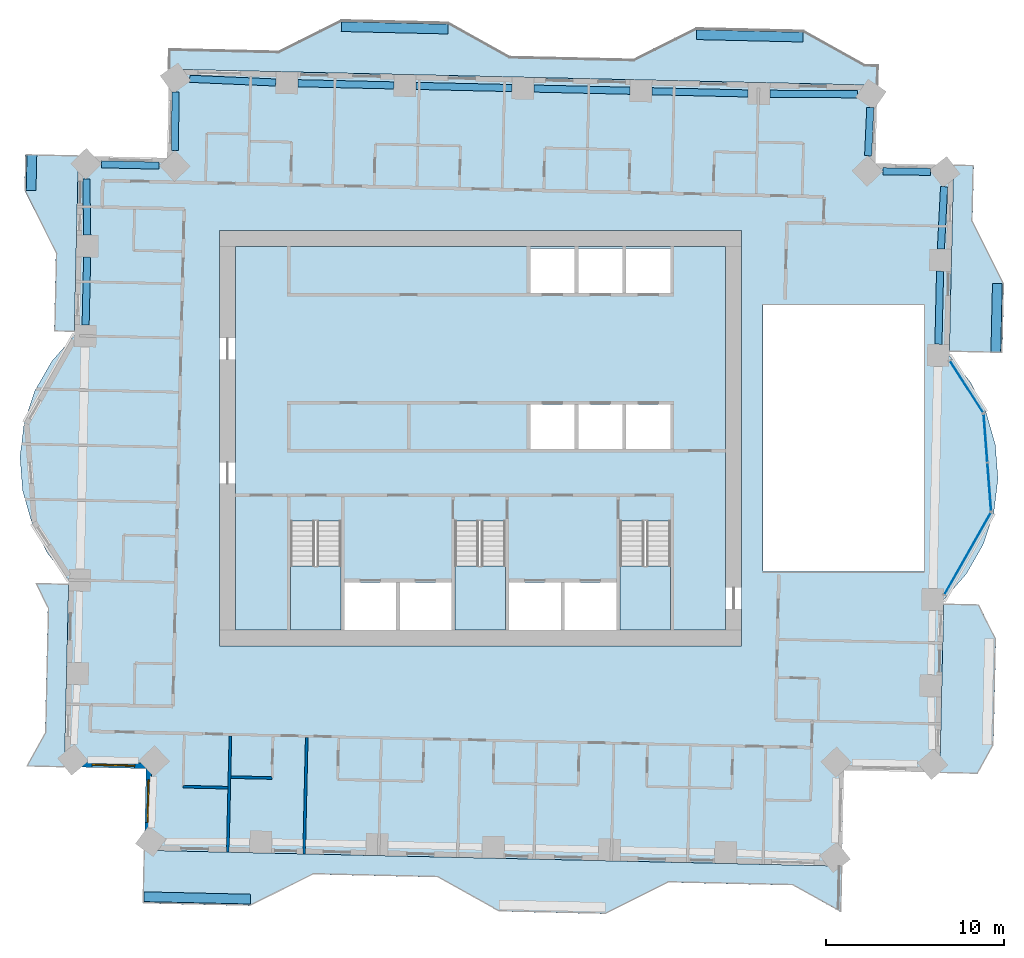
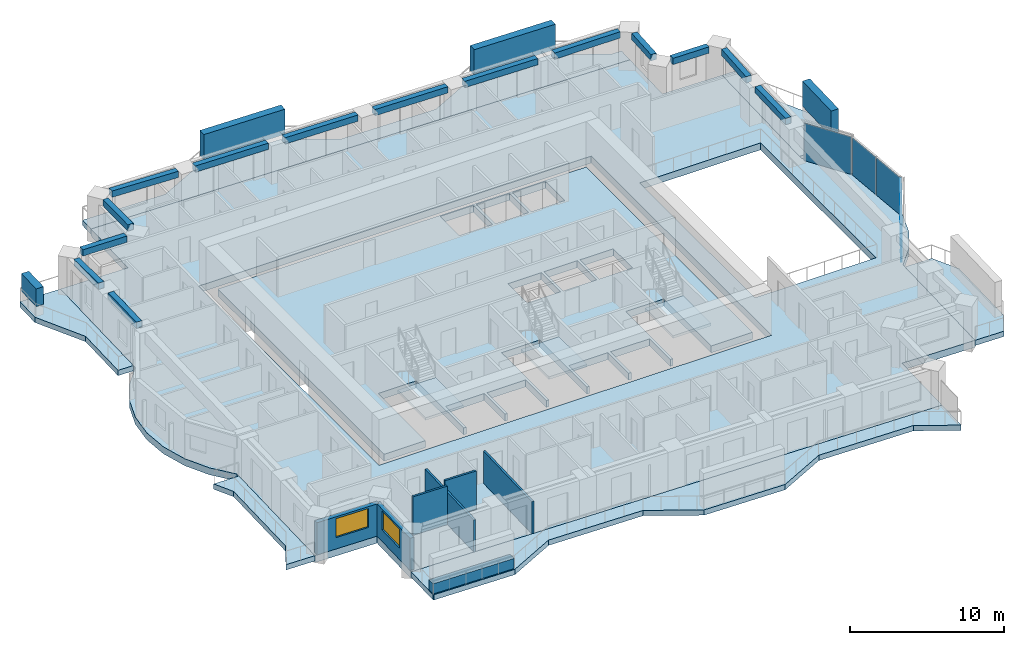
# One storey, part 3 of 14: 14 beams, 11 slabs, 7 walls, 4 members, 4 plates, 2 windows, 2 openings, 6 elements without a shape of their own.
"""IFC4 building model written with IfcOpenShell, lengths in metres."""

import ifcopenshell
import ifcopenshell.guid

model = None  # the IFC model being written
_history = None  # IfcOwnerHistory: only IFC2X3 demands one
_inside = {}  # id of a spatial element -> (the spatial element, [elements in it])
_under = {}  # id of a project, library or spatial element -> (it, [spatial elements below it])
_declared = {}  # id of a project -> (the project, [libraries it declares])
_typed = {}  # id of a type object -> (the type object, [elements of that type])
_made_of = {}  # id of a material, layer set ... -> (it, [elements and type objects made of it])


def new_model(schema):
    """Start an empty IFC model of exactly this schema.

    Asked for "IFC4X3", IfcOpenShell would pick the latest addendum, in which some entities
    have other attributes; the version numbers below select the first issue.
    IFC2X3 requires an IfcOwnerHistory on every rooted entity: one is made here for all.
    """
    global model, _history
    if schema == "IFC4X3":
        model = ifcopenshell.file(schema_version=(4, 3, 0, 0))
    else:
        model = ifcopenshell.file(schema=schema)
    _inside.clear()
    _under.clear()
    _declared.clear()
    _typed.clear()
    _made_of.clear()
    _history = None
    if model.schema == "IFC2X3":
        org = make("IfcOrganization", Name="unknown")
        user = make(
            "IfcPersonAndOrganization",
            ThePerson=make("IfcPerson", FamilyName="unknown"),
            TheOrganization=org,
        )
        app = make(
            "IfcApplication",
            ApplicationDeveloper=org,
            Version="unknown",
            ApplicationFullName="unknown",
            ApplicationIdentifier="unknown",
        )
        _history = make(
            "IfcOwnerHistory",
            OwningUser=user,
            OwningApplication=app,
            ChangeAction="ADDED",
            CreationDate=0,
        )
    return model


def make(cls, **values):
    """One entity of the class cls with the attributes given. An attribute that is None is left unset."""
    return model.create_entity(
        cls, **{name: value for name, value in values.items() if value is not None}
    )


def rooted(cls, **values):
    """An entity with a GlobalId (a new one), such as an element, a storey or a relation."""
    return make(cls, GlobalId=ifcopenshell.guid.new(), OwnerHistory=_history, **values)


def si_unit(unit_type, name, prefix=None):
    """IfcSIUnit, for example si_unit("LENGTHUNIT", "METRE", prefix="MILLI")."""
    return make("IfcSIUnit", UnitType=unit_type, Prefix=prefix, Name=name)


def assignment(units):
    """IfcUnitAssignment: the units of a project."""
    return None if units is None else make("IfcUnitAssignment", Units=units)


def point(xyz):
    """IfcCartesianPoint."""
    return None if xyz is None else make("IfcCartesianPoint", Coordinates=xyz)


def direction(xyz):
    """IfcDirection."""
    return None if xyz is None else make("IfcDirection", DirectionRatios=xyz)


def frame(location, z_axis=None, x_axis=None):
    """IfcAxis2Placement3D, a coordinate frame: its origin and axes. An axis left out is left unset."""
    return make(
        "IfcAxis2Placement3D",
        Location=point(location),
        Axis=direction(z_axis),
        RefDirection=direction(x_axis),
    )


def frame_2d(location, x_axis=None):
    """IfcAxis2Placement2D, a coordinate frame in the plane: its origin and x axis."""
    return make(
        "IfcAxis2Placement2D", Location=point(location), RefDirection=direction(x_axis)
    )


def origin():
    """The frame at (0, 0, 0) with its axes left unset."""
    return frame((0.0, 0.0, 0.0))


def origin_2d():
    """The frame at (0, 0) in the plane with its x axis left unset."""
    return frame_2d((0.0, 0.0))


def place(relative_to, where):
    """IfcLocalPlacement: puts the frame where relative to a parent placement (None: the world)."""
    return make(
        "IfcLocalPlacement", PlacementRelTo=relative_to, RelativePlacement=where
    )


def context(
    kind, dimensions, precision=None, world=None, true_north=None, identifier=None
):
    """IfcGeometricRepresentationContext, for example the 3D "Model" context."""
    return make(
        "IfcGeometricRepresentationContext",
        ContextIdentifier=identifier,
        ContextType=kind,
        CoordinateSpaceDimension=dimensions,
        Precision=precision,
        WorldCoordinateSystem=world,
        TrueNorth=true_north,
    )


def subcontext(parent, identifier, kind, view, scale=None):
    """IfcGeometricRepresentationSubContext, for example "Body" below "Model"."""
    return make(
        "IfcGeometricRepresentationSubContext",
        ContextIdentifier=identifier,
        ContextType=kind,
        ParentContext=parent,
        TargetScale=scale,
        TargetView=view,
    )


def project(units=None, contexts=None):
    """IfcProject with its units and contexts."""
    return rooted(
        "IfcProject",
        Name="project",
        RepresentationContexts=contexts,
        UnitsInContext=assignment(units),
    )


def spatial(cls, under=None, at=None, **own):
    """A site, building, storey or space (cls), placed at a placement, below another one or the project."""
    s = rooted(cls, ObjectPlacement=at, **own)
    if under is not None:
        _under.setdefault(under.id(), (under, []))[1].append(s)
    return s


def polyline(points):
    """IfcPolyline through the points."""
    return make("IfcPolyline", Points=[point(p) for p in points])


def profile(cls, at=None, kind="AREA", **sizes):
    """A parametric profile (cls). Its sizes go by their IFC names, for example OverallWidth=200.0."""
    return make(cls, ProfileType=kind, Position=at, **sizes)


def rectangle(**sizes):
    """IfcRectangleProfileDef."""
    return profile("IfcRectangleProfileDef", **sizes)


def outline(outer, holes=None, kind="AREA"):
    """IfcArbitraryClosedProfileDef: a profile drawn as a closed curve; with holes, ...WithVoids."""
    if holes is None:
        return make("IfcArbitraryClosedProfileDef", ProfileType=kind, OuterCurve=outer)
    return make(
        "IfcArbitraryProfileDefWithVoids",
        ProfileType=kind,
        OuterCurve=outer,
        InnerCurves=holes,
    )


def extrude(swept, where, along, depth):
    """IfcExtrudedAreaSolid: the profile swept, set in the frame where, extruded along a direction by depth."""
    return make(
        "IfcExtrudedAreaSolid",
        SweptArea=swept,
        Position=where,
        ExtrudedDirection=direction(along),
        Depth=depth,
    )


def shape(context_of_items, identifier, shape_type, items):
    """IfcShapeRepresentation: the items that make up one representation, for example the "Body"."""
    return make(
        "IfcShapeRepresentation",
        ContextOfItems=context_of_items,
        RepresentationIdentifier=identifier,
        RepresentationType=shape_type,
        Items=items,
    )


def material(Name=None, Category=None):
    """IfcMaterial."""
    return make("IfcMaterial", Name=Name, Category=Category)


def layer(
    of_material, thickness, ventilated=None, Name=None, Category=None, Priority=None
):
    """IfcMaterialLayer: one layer of a wall or slab, of a material (None: an air gap)."""
    return make(
        "IfcMaterialLayer",
        Material=of_material,
        LayerThickness=thickness,
        IsVentilated=ventilated,
        Name=Name,
        Category=Category,
        Priority=Priority,
    )


def layer_set(layers, Name=None):
    """IfcMaterialLayerSet."""
    return make("IfcMaterialLayerSet", MaterialLayers=layers, LayerSetName=Name)


def material_profile(
    of_material, cross_section, Name=None, Category=None, Priority=None
):
    """IfcMaterialProfile: a cross section and its material."""
    return make(
        "IfcMaterialProfile",
        Name=Name,
        Material=of_material,
        Profile=cross_section,
        Priority=Priority,
        Category=Category,
    )


def profile_set(profiles, Name=None, composite=None):
    """IfcMaterialProfileSet."""
    return make(
        "IfcMaterialProfileSet",
        Name=Name,
        MaterialProfiles=profiles,
        CompositeProfile=composite,
    )


def made_of(thing, what):
    """Note that an element or type object is made of a material, layer set ...; save() writes the relation."""
    if what is not None:
        _made_of.setdefault(what.id(), (what, []))[1].append(thing)
    return thing


def type_object(cls, material=None, **own):
    """A type object (cls), such as IfcWallType, which elements share."""
    return made_of(rooted(cls, **own), material)


def element(
    cls,
    number,
    at=None,
    inside=None,
    cuts=None,
    type_object=None,
    material=None,
    context=None,
    identifier="Body",
    shape_type=None,
    held_by="IfcProductDefinitionShape",
    body=None,
    shapes=None,
    **own,
):
    """One element of the class cls, such as IfcWall. Its Tag is "e" and its number.

    at: its placement. inside: the storey or other place that contains it. cuts: it is an
    opening in that element (IfcRelVoidsElement). A single representation is given by context,
    identifier, shape_type and body (its items); several are given by shapes. held_by: the class
    of the entity that holds the representations. save() writes the other relations.
    """
    e = rooted(cls, Tag="e%d" % number, ObjectPlacement=at, **own)
    if body is not None:
        shapes = [shape(context, identifier, shape_type, body)]
    if shapes is not None:
        e.Representation = make(held_by, Representations=shapes)
    if inside is not None:
        _inside.setdefault(inside.id(), (inside, []))[1].append(e)
    if cuts is not None:
        rooted(
            "IfcRelVoidsElement", RelatingBuildingElement=cuts, RelatedOpeningElement=e
        )
    if type_object is not None:
        _typed.setdefault(type_object.id(), (type_object, []))[1].append(e)
    return made_of(e, material)


def fill(opening, filler):
    """IfcRelFillsElement: the door or window that sits in an opening."""
    return rooted(
        "IfcRelFillsElement",
        RelatingOpeningElement=opening,
        RelatedBuildingElement=filler,
    )


def aggregate(whole, parts):
    """IfcRelAggregates: a whole, such as a stair, and the parts it consists of."""
    return rooted("IfcRelAggregates", RelatingObject=whole, RelatedObjects=parts)


def save(model, path):
    """Write the relations noted so far, then the file.

    IfcRelAggregates (storeys below a building ...), IfcRelContainedInSpatialStructure (elements
    in a storey), IfcRelDefinesByType, IfcRelAssociatesMaterial and IfcRelDeclares: one each for
    every whole, place, type object, material and project.
    """
    for whole, parts in _under.values():
        aggregate(whole, parts)
    for where, things in _inside.values():
        rooted(
            "IfcRelContainedInSpatialStructure",
            RelatedElements=things,
            RelatingStructure=where,
        )
    for kind, things in _typed.values():
        rooted("IfcRelDefinesByType", RelatedObjects=things, RelatingType=kind)
    for what, things in _made_of.values():
        rooted("IfcRelAssociatesMaterial", RelatedObjects=things, RelatingMaterial=what)
    for by, libraries in _declared.values():
        rooted("IfcRelDeclares", RelatingContext=by, RelatedDefinitions=libraries)
    model.write(path)


model = new_model("IFC4")

# Units and contexts
model_context = context("Model", 3, precision=1e-05, world=origin(), true_north=direction((0.0, 1.0)))
body_context = subcontext(model_context, "Body", "Model", "MODEL_VIEW")
ifc_project = project(units=[si_unit("LENGTHUNIT", "METRE"), si_unit("AREAUNIT", "SQUARE_METRE"), si_unit("VOLUMEUNIT", "CUBIC_METRE"), si_unit("PLANEANGLEUNIT", "RADIAN"), si_unit("MASSUNIT", "GRAM", prefix="KILO")], contexts=[model_context])

# Site, building, storey
site_placement = place(None, origin())
site = spatial("IfcSite", under=ifc_project, at=site_placement, CompositionType="ELEMENT")
building_placement = place(site_placement, origin())
building = spatial("IfcBuilding", under=site, at=building_placement, Name="Mangrove Gate Tower", CompositionType="ELEMENT")
storey_placement = place(building_placement, frame((0.0, 0.0, 159.89990234375)))
storey = spatial("IfcBuildingStorey", under=building, at=storey_placement, Name="L40", CompositionType="ELEMENT", Elevation=159.89990234375)

# Members
ifc_material_1 = material(Name="Planting on aluminium trellis", Category="aluminium")
ifc_material_profile_1 = material_profile(ifc_material_1, rectangle(XDim=0.550048828125, YDim=1.39990234375, at=origin_2d()))
ifc_profile_set_1 = profile_set([ifc_material_profile_1], Name="Planting on aluminium trellis")
member_type_1 = type_object("IfcMemberType", Name="Balcony greenery screen 550x1400", PredefinedType="USERDEFINED", material=ifc_profile_set_1)
member_1_placement = place(storey_placement, frame((-25.30810546875, 13.965087890625, 1.5), z_axis=(0.023076413053, 0.999733704124, 0.0), x_axis=(-0.999733704124, 0.023076413053, 0.0)))
element("IfcMember", 1, at=member_1_placement, inside=storey, type_object=member_type_1, Name="GREEN SCREEN L40 W0.1", ObjectType="PLANTING", PredefinedType="USERDEFINED", context=body_context, shape_type="SweptSolid", body=[
    extrude(rectangle(XDim=0.550048828125, YDim=1.39990234375, at=origin_2d()), origin(), (0.0, 0.0, 1.0), 1.99951171875),
])
ifc_material_2 = material(Name="Planting on aluminium trellis", Category="aluminium")
ifc_material_profile_2 = material_profile(ifc_material_2, rectangle(XDim=0.550048828125, YDim=2.0, at=origin_2d()))
ifc_profile_set_2 = profile_set([ifc_material_profile_2], Name="Planting on aluminium trellis")
member_type_2 = type_object("IfcMemberType", Name="Balcony greenery screen 550x2000", PredefinedType="USERDEFINED", material=ifc_profile_set_2)
member_2_placement = place(storey_placement, frame((29.010009765625, 4.85498046875, 1.800048828125), z_axis=(0.022681332769, 0.999742745482, 0.0), x_axis=(-0.999742745482, 0.022681332769, 0.0)))
element("IfcMember", 2, at=member_2_placement, inside=storey, type_object=member_type_2, Name="GREEN SCREEN L40 E1.1", ObjectType="PLANTING", PredefinedType="USERDEFINED", context=body_context, shape_type="SweptSolid", body=[
    extrude(rectangle(XDim=0.550048828125, YDim=2.0, at=origin_2d()), origin(), (0.0, 0.0, 1.0), 3.875),
])
for number, where, z_axis, x_axis, name in (
    (3, (12.156005859375, 22.73193359375, 1.800048828125), (0.999743178102, -0.022662255828, 0.0), (0.022662255828, 0.999743178102, 0.0), "GREEN SCREEN L40 N0.1"),
    (4, (-7.839111328125, 23.18603515625, 1.800048828125), (0.999739477659, -0.022824916448, 0.0), (0.022824916448, 0.999739477659, 0.0), "GREEN SCREEN L40 N1.1"),
):
    element("IfcMember", number, at=place(storey_placement, frame(where, z_axis=z_axis, x_axis=x_axis)), inside=storey, type_object=member_type_2, Name=name, ObjectType="PLANTING", PredefinedType="USERDEFINED", context=body_context, shape_type="SweptSolid", body=[
        extrude(rectangle(XDim=0.550048828125, YDim=2.0, at=origin_2d()), origin(), (0.0, 0.0, 1.0), 6.00048828125),
    ])

# Beams
ifc_material_3 = material(Name="Concrete C50/60", Category="concrete")
ifc_material_profile_3 = material_profile(ifc_material_3, rectangle(XDim=0.39990234375, YDim=0.5, at=origin_2d()))
ifc_profile_set_3 = profile_set([ifc_material_profile_3], Name="Concrete C50/60")
beam_type = type_object("IfcBeamType", Name="Edge beam RC 400x500 C50/60", PredefinedType="BEAM", material=ifc_profile_set_3)
beam_1_placement = place(storey_placement, frame((25.779296875, 5.303955078125, 2.800048828125), z_axis=(0.022564934913, 0.99974537944, 0.0), x_axis=(-0.99974537944, 0.022564934913, 0.0)))
element("IfcBeam", 5, at=beam_1_placement, inside=storey, type_object=beam_type, Name="Edge beam L40 15", PredefinedType="BEAM", context=body_context, shape_type="SweptSolid", body=[
    extrude(rectangle(XDim=0.39990234375, YDim=0.5, at=origin_2d()), origin(), (0.0, 0.0, 1.0), 4.111328125),
])
beam_2_placement = place(storey_placement, frame((25.918212890625, 10.66357421875, 2.800048828125), z_axis=(0.051264492748, 0.998685111426, 0.0), x_axis=(-0.998685111426, 0.051264492748, 0.0)))
element("IfcBeam", 6, at=beam_2_placement, inside=storey, type_object=beam_type, Name="Edge beam L40 16", PredefinedType="BEAM", context=body_context, shape_type="SweptSolid", body=[
    extrude(rectangle(XDim=0.39990234375, YDim=0.5, at=origin_2d()), origin(), (0.0, 0.0, 1.0), 3.5146484375),
])
beam_3_placement = place(storey_placement, frame((25.33935546875, 15.010498046875, 2.800048828125), z_axis=(-0.999924520308, 0.012286321129, 0.0), x_axis=(-0.012286321129, -0.999924520308, 0.0)))
element("IfcBeam", 7, at=beam_3_placement, inside=storey, type_object=beam_type, Name="Edge beam L40 17", PredefinedType="BEAM", context=body_context, shape_type="SweptSolid", body=[
    extrude(rectangle(XDim=0.39990234375, YDim=0.5, at=origin_2d()), origin(), (0.0, 0.0, 1.0), 2.6826171875),
])
beam_4_placement = place(storey_placement, frame((21.821044921875, 15.91796875, 2.800048828125), z_axis=(0.04517139191, 0.998979251713, 0.0), x_axis=(-0.998979251713, 0.04517139191, 0.0)))
element("IfcBeam", 8, at=beam_4_placement, inside=storey, type_object=beam_type, Name="Edge beam L40 18", PredefinedType="BEAM", context=body_context, shape_type="SweptSolid", body=[
    extrude(rectangle(XDim=0.39990234375, YDim=0.5, at=origin_2d()), origin(), (0.0, 0.0, 1.0), 2.718505859375),
])
beam_5_placement = place(storey_placement, frame((21.21923828125, 19.37646484375, 2.800048828125), z_axis=(-0.999980449933, 0.006252979488, 0.0), x_axis=(-0.006252979488, -0.999980449933, 0.0)))
element("IfcBeam", 9, at=beam_5_placement, inside=storey, type_object=beam_type, Name="Edge beam L40 19", PredefinedType="BEAM", context=body_context, shape_type="SweptSolid", body=[
    extrude(rectangle(XDim=0.39990234375, YDim=0.5, at=origin_2d()), origin(), (0.0, 0.0, 1.0), 4.91943359375),
])
beam_6_placement = place(storey_placement, frame((15.050048828125, 19.42529296875, 2.800048828125), z_axis=(-0.99974211572, 0.022709074303, 0.0), x_axis=(-0.022709074303, -0.99974211572, 0.0)))
element("IfcBeam", 10, at=beam_6_placement, inside=storey, type_object=beam_type, Name="Edge beam L40 20", PredefinedType="BEAM", context=body_context, shape_type="SweptSolid", body=[
    extrude(rectangle(XDim=0.39990234375, YDim=0.5, at=origin_2d()), origin(), (0.0, 0.0, 1.0), 5.39697265625),
])
for number, where, z_axis, x_axis, name in (
    (11, (8.405029296875, 19.576416015625, 2.800048828125), (-0.99974209239, 0.022710101379, 0.0), (-0.022710101379, -0.99974209239, 0.0), "Edge beam L40 21"),
    (12, (1.760009765625, 19.727294921875, 2.800048828125), (-0.999745164565, 0.022574453012, 0.0), (-0.022574453012, -0.999745164565, 0.0), "Edge beam L40 22"),
    (13, (-4.885009765625, 19.87744140625, 2.800048828125), (-0.99974209239, 0.022710101379, 0.0), (-0.022710101379, -0.99974209239, 0.0), "Edge beam L40 23"),
):
    element("IfcBeam", number, at=place(storey_placement, frame(where, z_axis=z_axis, x_axis=x_axis)), inside=storey, type_object=beam_type, Name=name, PredefinedType="BEAM", context=body_context, shape_type="SweptSolid", body=[
        extrude(rectangle(XDim=0.39990234375, YDim=0.5, at=origin_2d()), origin(), (0.0, 0.0, 1.0), 5.396728515625),
    ])
beam_7_placement = place(storey_placement, frame((-11.52978515625, 20.040771484375, 2.800048828125), z_axis=(-0.99908526165, 0.04276259995, 0.0), x_axis=(-0.04276259995, -0.99908526165, 0.0)))
element("IfcBeam", 14, at=beam_7_placement, inside=storey, type_object=beam_type, Name="Edge beam L40 24", PredefinedType="BEAM", context=body_context, shape_type="SweptSolid", body=[
    extrude(rectangle(XDim=0.39990234375, YDim=0.5, at=origin_2d()), origin(), (0.0, 0.0, 1.0), 4.852783203125),
])
beam_8_placement = place(storey_placement, frame((-17.1787109375, 19.5078125, 2.800048828125), z_axis=(-0.009256805477, -0.999957154858, 0.0), x_axis=(0.999957154858, -0.009256805477, 0.0)))
element("IfcBeam", 15, at=beam_8_placement, inside=storey, type_object=beam_type, Name="Edge beam L40 25", PredefinedType="BEAM", context=body_context, shape_type="SweptSolid", body=[
    extrude(rectangle(XDim=0.39990234375, YDim=0.5, at=origin_2d()), origin(), (0.0, 0.0, 1.0), 3.296875),
])
beam_9_placement = place(storey_placement, frame((-18.100341796875, 15.35986328125, 2.800048828125), z_axis=(-0.999728264074, 0.023310899004, 0.0), x_axis=(-0.023310899004, -0.999728264074, 0.0)))
element("IfcBeam", 16, at=beam_9_placement, inside=storey, type_object=beam_type, Name="Edge beam L40 26", PredefinedType="BEAM", context=body_context, shape_type="SweptSolid", body=[
    extrude(rectangle(XDim=0.39990234375, YDim=0.5, at=origin_2d()), origin(), (0.0, 0.0, 1.0), 3.236328125),
])
beam_10_placement = place(storey_placement, frame((-22.199462890625, 14.599609375, 2.800048828125), z_axis=(0.016224572201, -0.999868372966, 0.0), x_axis=(0.999868372966, 0.016224572201, 0.0)))
element("IfcBeam", 17, at=beam_10_placement, inside=storey, type_object=beam_type, Name="Edge beam L40 27", PredefinedType="BEAM", context=body_context, shape_type="SweptSolid", body=[
    extrude(rectangle(XDim=0.39990234375, YDim=0.5, at=origin_2d()), origin(), (0.0, 0.0, 1.0), 3.14501953125),
])
beam_11_placement = place(storey_placement, frame((-22.15234375, 10.205078125, 2.800048828125), z_axis=(-0.022733042384, -0.999741570999, 0.0), x_axis=(0.999741570999, -0.022733042384, 0.0)))
element("IfcBeam", 18, at=beam_11_placement, inside=storey, type_object=beam_type, Name="Edge beam L40 28", PredefinedType="BEAM", context=body_context, shape_type="SweptSolid", body=[
    extrude(rectangle(XDim=0.39990234375, YDim=0.5, at=origin_2d()), origin(), (0.0, 0.0, 1.0), 3.8125),
])

# Curtain wall, plate
ifc_material_4 = material(Name="Aluminium and glass curtain wall", Category="aluminium")
curtain_wall_type = type_object("IfcCurtainWallType", Name="Atrium garden-court glazing wall", PredefinedType="NOTDEFINED", material=ifc_material_4)
curtain_wall_1_placement = place(storey_placement, origin())
curtain_wall_1 = element("IfcCurtainWall", 19, at=curtain_wall_1_placement, inside=storey, type_object=curtain_wall_type, Name="Atrium garden-court glazing E1f1", PredefinedType="NOTDEFINED")
ifc_material_5 = material(Name="Laminated low-e glass", Category="glass")
ifc_layer_1 = layer(ifc_material_5, 0.031982421875)
ifc_layer_set_1 = layer_set([ifc_layer_1], Name="Atrium garden-court glazing panel 32")
plate_type = type_object("IfcPlateType", Name="Atrium garden-court glazing panel 32", PredefinedType="CURTAIN_PANEL", material=ifc_layer_set_1)
plate_1_placement = place(storey_placement, frame((27.4228515625, -6.48876953125, 0.0), z_axis=(0.0, 0.0, 1.0), x_axis=(0.492564461279, 0.870275962833, 0.0)))
plate_1 = element("IfcPlate", 20, at=plate_1_placement, type_object=plate_type, Name="CWA panel 1.1", PredefinedType="CURTAIN_PANEL", context=body_context, shape_type="SweptSolid", body=[
    extrude(rectangle(XDim=5.257568359375, YDim=0.031982421875, at=origin_2d()), origin(), (0.0, 0.0, 1.0), 2.97998046875),
])
aggregate(curtain_wall_1, [plate_1])

# Curtain wall, plates
curtain_wall_2_placement = place(storey_placement, origin())
curtain_wall_2 = element("IfcCurtainWall", 21, at=curtain_wall_2_placement, inside=storey, type_object=curtain_wall_type, Name="Atrium garden-court glazing E1f2", PredefinedType="NOTDEFINED")
plate_2_placement = place(storey_placement, frame((28.6435546875, -2.7333984375, 0.0), z_axis=(0.0, 0.0, 1.0), x_axis=(-0.077023348403, 0.997029289339, 0.0)))
plate_2 = element("IfcPlate", 22, at=plate_2_placement, type_object=plate_type, Name="CWA panel 1.1", PredefinedType="CURTAIN_PANEL", context=body_context, shape_type="SweptSolid", body=[
    extrude(rectangle(XDim=2.681640625, YDim=0.031982421875, at=origin_2d()), origin(), (0.0, 0.0, 1.0), 2.97998046875),
])
plate_3_placement = place(storey_placement, frame((28.431640625, 0.01025390625, 0.0), z_axis=(0.0, 0.0, 1.0), x_axis=(-0.077023348403, 0.997029289339, 0.0)))
plate_3 = element("IfcPlate", 23, at=plate_3_placement, type_object=plate_type, Name="CWA panel 2.1", PredefinedType="CURTAIN_PANEL", context=body_context, shape_type="SweptSolid", body=[
    extrude(rectangle(XDim=2.681640625, YDim=0.031982421875, at=origin_2d()), origin(), (0.0, 0.0, 1.0), 2.97998046875),
])
aggregate(curtain_wall_2, [plate_2, plate_3])

# Curtain wall, plate
curtain_wall_3_placement = place(storey_placement, origin())
curtain_wall_3 = element("IfcCurtainWall", 24, at=curtain_wall_3_placement, inside=storey, type_object=curtain_wall_type, Name="Atrium garden-court glazing E1f3", PredefinedType="NOTDEFINED")
plate_4_placement = place(storey_placement, frame((27.358642578125, 2.917724609375, 0.0), z_axis=(0.0, 0.0, 1.0), x_axis=(-0.540496322894, 0.841346376315, 0.0)))
plate_4 = element("IfcPlate", 25, at=plate_4_placement, type_object=plate_type, Name="CWA panel 1.1", PredefinedType="CURTAIN_PANEL", context=body_context, shape_type="SweptSolid", body=[
    extrude(rectangle(XDim=3.427978515625, YDim=0.031982421875, at=origin_2d()), origin(), (0.0, 0.0, 1.0), 2.97998046875),
])
aggregate(curtain_wall_3, [plate_4])

# Slabs
ifc_material_6 = material(Name="Porcelain tile")
ifc_layer_2 = layer(ifc_material_6, 0.02001953125, Name="Tile finish")
ifc_material_7 = material(Name="Cement sand screed")
ifc_layer_3 = layer(ifc_material_7, 0.0400390625, Name="Screed laid to falls")
ifc_material_8 = material(Name="Bituminous waterproofing membrane")
ifc_layer_4 = layer(ifc_material_8, 0.00390625, Name="Waterproofing")
ifc_material_9 = material(Name="Concrete C40/50", Category="concrete")
ifc_layer_5 = layer(ifc_material_9, 0.340087890625, Name="Balcony structural slab")
ifc_material_10 = material(Name="Limestone", Category="masonry")
ifc_layer_6 = layer(ifc_material_10, 0.01611328125, Name="Soffit lining")
ifc_layer_set_2 = layer_set([ifc_layer_2, ifc_layer_3, ifc_layer_4, ifc_layer_5, ifc_layer_6], Name="Balcony slab 420 C40/50")
slab_type_1 = type_object("IfcSlabType", Name="Balcony slab 420 C40/50", PredefinedType="FLOOR", material=ifc_layer_set_2)
slab_1_placement = place(storey_placement, frame((0.0, 0.0, -0.419921875)))
element("IfcSlab", 26, at=slab_1_placement, inside=storey, type_object=slab_type_1, Name="BALCONY L40 E0", PredefinedType="FLOOR", context=body_context, shape_type="SweptSolid", body=[
    extrude(outline(polyline([(28.0009765625, -18.85302734375), (28.883056640625, -17.27294921875), (29.01904296875, -11.27490234375), (28.071044921875, -9.3779296875), (26.072021484375, -9.3330078125), (26.029052734375, -11.20703125), (25.89306640625, -17.205078125), (25.85693359375, -18.804931640625), (28.0009765625, -18.85302734375)])), origin(), (0.0, 0.0, 1.0), 0.419921875),
])
slab_2_placement = place(storey_placement, frame((0.0, 0.0, -0.419921875)))
element("IfcSlab", 27, at=slab_2_placement, inside=storey, type_object=slab_type_1, Name="BALCONY L40 E1", PredefinedType="FLOOR", context=body_context, shape_type="SweptSolid", body=[
    extrude(outline(polyline([(29.385009765625, 4.846923828125), (29.471923828125, 8.719970703125), (27.701904296875, 12.260986328125), (27.77294921875, 15.361083984375), (26.633056640625, 15.385986328125), (26.56298828125, 12.287109375), (26.48291015625, 8.7880859375), (26.39501953125, 4.9140625), (29.385009765625, 4.846923828125)])), origin(), (0.0, 0.0, 1.0), 0.419921875),
])
slab_3_placement = place(storey_placement, frame((0.0, 0.0, -0.419921875)))
element("IfcSlab", 28, at=slab_3_placement, inside=storey, type_object=slab_type_1, Name="BALCONY L40 N0", PredefinedType="FLOOR", context=body_context, shape_type="SweptSolid", body=[
    extrude(outline(polyline([(22.360107421875, 21.02490234375), (21.6201171875, 21.0419921875), (18.1630859375, 22.970947265625), (12.1640625, 23.10693359375), (8.623046875, 21.3369140625), (1.625, 21.4951171875), (-1.83203125, 23.424072265625), (-7.830078125, 23.56005859375), (-11.3720703125, 21.791015625), (-17.510009765625, 21.929931640625), (-17.535888671875, 20.7900390625), (22.333984375, 19.885009765625), (22.360107421875, 21.02490234375)])), origin(), (0.0, 0.0, 1.0), 0.419921875),
])
slab_4_placement = place(storey_placement, frame((0.0, 0.0, -0.419921875)))
element("IfcSlab", 29, at=slab_4_placement, inside=storey, type_object=slab_type_1, Name="BALCONY L40 W0", PredefinedType="FLOOR", context=body_context, shape_type="SweptSolid", body=[
    extrude(outline(polyline([(-25.636962890625, 15.971923828125), (-25.68310546875, 13.972900390625), (-23.912109375, 10.431884765625), (-24.011962890625, 6.05810546875), (-22.8720703125, 6.032958984375), (-22.77294921875, 10.406005859375), (-22.693115234375, 13.905029296875), (-22.64794921875, 15.905029296875), (-25.636962890625, 15.971923828125)])), origin(), (0.0, 0.0, 1.0), 0.419921875),
])
slab_5_placement = place(storey_placement, frame((0.0, 0.0, -0.419921875)))
element("IfcSlab", 30, at=slab_5_placement, inside=storey, type_object=slab_type_1, Name="BALCONY L40 W1", PredefinedType="FLOOR", context=body_context, shape_type="SweptSolid", body=[
    extrude(outline(polyline([(-25.06103515625, -8.172119140625), (-24.365966796875, -9.56298828125), (-24.52490234375, -16.56103515625), (-25.572021484375, -18.43798828125), (-23.427978515625, -18.487060546875), (-23.385009765625, -16.5869140625), (-23.22705078125, -9.589111328125), (-23.195068359375, -8.214111328125), (-25.06103515625, -8.172119140625)])), origin(), (0.0, 0.0, 1.0), 0.419921875),
])
slab_6_placement = place(storey_placement, frame((0.0, 0.0, -0.419921875)))
element("IfcSlab", 31, at=slab_6_placement, inside=storey, type_object=slab_type_1, Name="BALCONY L40 S0", PredefinedType="FLOOR", context=body_context, shape_type="SweptSolid", body=[
    extrude(outline(polyline([(-19.0009765625, -26.157958984375), (-18.9619140625, -26.179931640625), (-12.962890625, -26.31591796875), (-9.422119140625, -24.5458984375), (-2.424072265625, -24.705078125), (0.637939453125, -26.4130859375), (1.032958984375, -26.634033203125), (7.031005859375, -26.77001953125), (10.572998046875, -25.0009765625), (17.571044921875, -25.157958984375), (20.277099609375, -26.66796875), (20.3359375, -24.0810546875), (1.10107421875, -23.64404296875), (-18.93408203125, -23.18994140625), (-19.0009765625, -26.157958984375)])), origin(), (0.0, 0.0, 1.0), 0.419921875),
])
ifc_material_11 = material(Name="Concrete C40/50", Category="concrete")
ifc_layer_7 = layer(ifc_material_11, 0.550048828125)
ifc_layer_set_3 = layer_set([ifc_layer_7], Name="Core floor slab 550 C40/50")
slab_type_2 = type_object("IfcSlabType", Name="Core floor slab 550 C40/50", PredefinedType="FLOOR", material=ifc_layer_set_3)
slab_7_placement = place(storey_placement, frame((0.0, 0.0, -0.5498046875)))
element("IfcSlab", 32, at=slab_7_placement, inside=storey, type_object=slab_type_2, Name="SLAB-L40-CORE-1", PredefinedType="FLOOR", context=body_context, shape_type="SweptSolid", body=[
    extrude(outline(polyline([(-13.800048828125, -10.800048828125), (-13.800048828125, 10.800048828125), (13.800048828125, 10.800048828125), (13.800048828125, -10.800048828125), (10.699951171875, -10.800048828125), (10.699951171875, -4.653076171875), (7.85009765625, -4.653076171875), (7.85009765625, -10.800048828125), (7.64990234375, -10.800048828125), (7.64990234375, -8.10009765625), (4.72509765625, -8.10009765625), (4.72509765625, -10.800048828125), (4.52490234375, -10.800048828125), (4.52490234375, -8.10009765625), (1.60009765625, -8.10009765625), (1.60009765625, -10.800048828125), (1.39990234375, -10.800048828125), (1.39990234375, -4.653076171875), (-1.449951171875, -4.653076171875), (-1.449951171875, -10.800048828125), (-1.64990234375, -10.800048828125), (-1.64990234375, -8.10009765625), (-4.550048828125, -8.10009765625), (-4.550048828125, -10.800048828125), (-4.75, -10.800048828125), (-4.75, -8.10009765625), (-7.64990234375, -8.10009765625), (-7.64990234375, -10.800048828125), (-7.85009765625, -10.800048828125), (-7.85009765625, -4.653076171875), (-10.699951171875, -4.653076171875), (-10.699951171875, -10.800048828125), (-13.800048828125, -10.800048828125)]), holes=[polyline([(5.300048828125, -0.60009765625), (5.300048828125, 1.89990234375), (2.800048828125, 1.89990234375), (2.800048828125, -0.60009765625), (5.300048828125, -0.60009765625)]), polyline([(5.300048828125, 10.699951171875), (2.800048828125, 10.699951171875), (2.800048828125, 8.199951171875), (5.300048828125, 8.199951171875), (5.300048828125, 10.699951171875)]), polyline([(8.0, -0.60009765625), (8.0, 1.89990234375), (5.5, 1.89990234375), (5.5, -0.60009765625), (8.0, -0.60009765625)]), polyline([(10.699951171875, -0.60009765625), (10.699951171875, 1.89990234375), (8.199951171875, 1.89990234375), (8.199951171875, -0.60009765625), (10.699951171875, -0.60009765625)]), polyline([(8.0, 8.199951171875), (8.0, 10.699951171875), (5.5, 10.699951171875), (5.5, 8.199951171875), (8.0, 8.199951171875)]), polyline([(10.699951171875, 8.199951171875), (10.699951171875, 10.699951171875), (8.199951171875, 10.699951171875), (8.199951171875, 8.199951171875), (10.699951171875, 8.199951171875)])]), origin(), (0.0, 0.0, 1.0), 0.5498046875),
])

# Stair, slab
ifc_material_12 = material(Name="Concrete C40/50", Category="concrete")
stair_type = type_object("IfcStairType", Name="Core stair 1350", PredefinedType="HALF_TURN_STAIR", material=ifc_material_12)
stair_1_placement = place(storey_placement, origin())
stair_1 = element("IfcStair", 33, at=stair_1_placement, inside=storey, type_object=stair_type, Name="L40 Stair 1", PredefinedType="HALF_TURN_STAIR")
ifc_material_13 = material(Name="Concrete C40/50", Category="concrete")
ifc_layer_8 = layer(ifc_material_13, 0.199951171875)
ifc_layer_set_4 = layer_set([ifc_layer_8], Name="Core stair landing 200")
slab_type_3 = type_object("IfcSlabType", Name="Core stair landing 200", PredefinedType="LANDING", material=ifc_layer_set_4)
slab_8_placement = place(storey_placement, frame((0.0, 0.0, 1.60009765625)))
slab_8 = element("IfcSlab", 34, at=slab_8_placement, type_object=slab_type_3, Name="ST1 landing 1", PredefinedType="LANDING", context=body_context, shape_type="SweptSolid", body=[
    extrude(outline(polyline([(-10.699951171875, -7.169921875), (-10.699951171875, -10.800048828125), (-7.85009765625, -10.800048828125), (-7.85009765625, -7.169921875), (-10.699951171875, -7.169921875)])), origin(), (0.0, 0.0, 1.0), 0.199951171875),
])
aggregate(stair_1, [slab_8])

stair_2_placement = place(storey_placement, origin())
stair_2 = element("IfcStair", 35, at=stair_2_placement, inside=storey, type_object=stair_type, Name="L40 Stair 2", PredefinedType="HALF_TURN_STAIR")
slab_9_placement = place(storey_placement, frame((0.0, 0.0, 1.60009765625)))
slab_9 = element("IfcSlab", 36, at=slab_9_placement, type_object=slab_type_3, Name="ST2 landing 1", PredefinedType="LANDING", context=body_context, shape_type="SweptSolid", body=[
    extrude(outline(polyline([(-1.449951171875, -7.169921875), (-1.449951171875, -10.800048828125), (1.39990234375, -10.800048828125), (1.39990234375, -7.169921875), (-1.449951171875, -7.169921875)])), origin(), (0.0, 0.0, 1.0), 0.199951171875),
])
aggregate(stair_2, [slab_9])

stair_3_placement = place(storey_placement, origin())
stair_3 = element("IfcStair", 37, at=stair_3_placement, inside=storey, type_object=stair_type, Name="L40 Stair 3", PredefinedType="HALF_TURN_STAIR")
slab_10_placement = place(storey_placement, frame((0.0, 0.0, 1.60009765625)))
slab_10 = element("IfcSlab", 38, at=slab_10_placement, type_object=slab_type_3, Name="ST3 landing 1", PredefinedType="LANDING", context=body_context, shape_type="SweptSolid", body=[
    extrude(outline(polyline([(7.85009765625, -7.169921875), (7.85009765625, -10.800048828125), (10.699951171875, -10.800048828125), (10.699951171875, -7.169921875), (7.85009765625, -7.169921875)])), origin(), (0.0, 0.0, 1.0), 0.199951171875),
])
aggregate(stair_3, [slab_10])

# Slab
ifc_material_14 = material(Name="Concrete C40/50", Category="concrete")
ifc_layer_9 = layer(ifc_material_14, 0.550048828125)
ifc_layer_set_5 = layer_set([ifc_layer_9], Name="Floor slab 550 C40/50")
slab_type_4 = type_object("IfcSlabType", Name="Floor slab 550 C40/50", PredefinedType="FLOOR", material=ifc_layer_set_5)
slab_11_placement = place(storey_placement, frame((0.0, 0.0, -0.5498046875)))
element("IfcSlab", 39, at=slab_11_placement, inside=storey, type_object=slab_type_4, Name="Floor slab L40", PredefinedType="FLOOR", context=body_context, shape_type="SweptSolid", body=[
    extrude(outline(polyline([(-18.93408203125, -23.189697265625), (20.3359375, -24.080810546875), (20.45849609375, -18.68212890625), (25.85693359375, -18.8046875), (26.07763671875, -9.08251953125), (27.340576171875, -7.64599609375), (28.293701171875, -5.98779296875), (28.899169921875, -4.17333984375), (29.1328125, -2.27490234375), (28.985595703125, -0.36767578125), (28.463134765625, 1.472412109375), (27.586181640625, 3.172119140625), (26.3896484375, 4.66455078125), (26.633056640625, 15.386474609375), (22.234130859375, 15.486328125), (22.333984375, 19.88525390625), (-17.535888671875, 20.789794921875), (-17.649169921875, 15.791259765625), (-22.64794921875, 15.904541015625), (-22.877685546875, 5.782470703125), (-24.140625, 4.345947265625), (-25.09375, 2.687744140625), (-25.69921875, 0.873291015625), (-25.932861328125, -1.025146484375), (-25.78564453125, -2.932373046875), (-25.26318359375, -4.772216796875), (-24.38623046875, -6.47216796875), (-23.189697265625, -7.964599609375), (-23.428466796875, -18.486572265625), (-18.82958984375, -18.5908203125), (-18.93408203125, -23.189697265625)]), holes=[polyline([(15.89990234375, 7.5), (24.964111328125, 7.5), (24.964111328125, -7.5), (15.89990234375, -7.5), (15.89990234375, 7.5)]), polyline([(-14.699951171875, -11.699951171875), (-14.699951171875, 11.699951171875), (14.699951171875, 11.699951171875), (14.699951171875, -11.699951171875), (-14.699951171875, -11.699951171875)])]), origin(), (0.0, 0.0, 1.0), 0.5498046875),
])

# Wall, opening, window
ifc_layer_10 = layer(ifc_material_10, 0.0400390625, Name="Limestone cladding")
ifc_material_15 = material(Name="Ventilated air gap")
ifc_layer_11 = layer(ifc_material_15, 0.0400390625, Name="Ventilated cavity")
ifc_material_16 = material(Name="Mineral wool insulation")
ifc_layer_12 = layer(ifc_material_16, 0.06005859375, Name="Insulation")
ifc_material_17 = material(Name="Breather membrane")
ifc_layer_13 = layer(ifc_material_17, 0.001953125, Name="Breather membrane")
ifc_material_18 = material(Name="Concrete C20/25 blockwork", Category="masonry")
ifc_layer_14 = layer(ifc_material_18, 0.14990234375, Name="Blockwork backing wall")
ifc_material_19 = material(Name="Gypsum plaster")
ifc_layer_15 = layer(ifc_material_19, 0.008056640625, Name="Internal plaster")
ifc_layer_set_6 = layer_set([ifc_layer_10, ifc_layer_11, ifc_layer_12, ifc_layer_13, ifc_layer_14, ifc_layer_15], Name="External wall 300 limestone cladding")
wall_type_1 = type_object("IfcWallType", Name="External wall 300 limestone cladding", PredefinedType="SOLIDWALL", material=ifc_layer_set_6)
wall_1_placement = place(storey_placement, frame((-23.27490234375, -18.340087890625, 0.0), z_axis=(0.0, 0.0, 1.0), x_axis=(0.999744377441, -0.022609285172, 0.0)))
wall_1 = element("IfcWall", 40, at=wall_1_placement, inside=storey, type_object=wall_type_1, Name="WALL-L40-S11", PredefinedType="SOLIDWALL", context=body_context, shape_type="SweptSolid", body=[
    extrude(rectangle(XDim=4.60009765625, YDim=0.300048828125, at=frame_2d((2.300048828125, 0.0))), origin(), (0.0, 0.0, 1.0), 2.550048828125),
])
opening_1_placement = place(wall_1_placement, frame((1.405029296875, 0.0, 0.89990234375)))
opening_1 = element("IfcOpeningElement", 41, at=opening_1_placement, cuts=wall_1, Name="Opening W2", PredefinedType="OPENING", context=body_context, shape_type="SweptSolid", body=[
    extrude(rectangle(XDim=2.39990234375, YDim=1.5, at=frame_2d((1.199951171875, 0.75))), frame((0.0, 0.159912109375, 0.0), z_axis=(0.0, -1.0, 0.0), x_axis=(1.0, 0.0, 0.0)), (0.0, 0.0, 1.0), 0.320068359375),
])
ifc_material_20 = material(Name="Aluminium frame with double-glazed low-e glass", Category="aluminium")
window_type = type_object("IfcWindowType", Name="Corner room window 2400x1500", PartitioningType="DOUBLE_PANEL_VERTICAL", PredefinedType="WINDOW", material=ifc_material_20)
window_1_placement = place(opening_1_placement, origin())
window_1 = element("IfcWindow", 42, at=window_1_placement, inside=storey, type_object=window_type, Name="WIN-L40-S11-1", OverallHeight=1.5, OverallWidth=2.39990234375, PartitioningType="DOUBLE_PANEL_VERTICAL", PredefinedType="WINDOW", context=body_context, shape_type="SweptSolid", body=[
    extrude(rectangle(XDim=2.39990234375, YDim=1.5, at=frame_2d((1.199951171875, 0.75))), frame((0.0, 0.030029296875, 0.0), z_axis=(0.0, -1.0, 0.0), x_axis=(1.0, 0.0, 0.0)), (0.0, 0.0, 1.0), 0.06005859375),
])
fill(opening_1, window_1)

wall_2_placement = place(storey_placement, frame((-18.676025390625, -18.444091796875, 0.0), z_axis=(0.0, 0.0, 1.0), x_axis=(-0.022821468877, -0.999739556364, 0.0)))
wall_2 = element("IfcWall", 43, at=wall_2_placement, inside=storey, type_object=wall_type_1, Name="WALL-L40-W12", PredefinedType="SOLIDWALL", context=body_context, shape_type="SweptSolid", body=[
    extrude(rectangle(XDim=4.60009765625, YDim=0.300048828125, at=frame_2d((2.300048828125, 0.0))), origin(), (0.0, 0.0, 1.0), 2.550048828125),
])
opening_2_placement = place(wall_2_placement, frame((0.780029296875, 0.0, 0.89990234375)))
opening_2 = element("IfcOpeningElement", 44, at=opening_2_placement, cuts=wall_2, Name="Opening W2", PredefinedType="OPENING", context=body_context, shape_type="SweptSolid", body=[
    extrude(rectangle(XDim=2.39990234375, YDim=1.5, at=frame_2d((1.199951171875, 0.75))), frame((0.0, 0.159912109375, 0.0), z_axis=(0.0, -1.0, 0.0), x_axis=(1.0, 0.0, 0.0)), (0.0, 0.0, 1.0), 0.320068359375),
])
window_2_placement = place(opening_2_placement, origin())
window_2 = element("IfcWindow", 45, at=window_2_placement, inside=storey, type_object=window_type, Name="WIN-L40-W12-1", OverallHeight=1.5, OverallWidth=2.39990234375, PartitioningType="DOUBLE_PANEL_VERTICAL", PredefinedType="WINDOW", context=body_context, shape_type="SweptSolid", body=[
    extrude(rectangle(XDim=2.39990234375, YDim=1.5, at=frame_2d((1.199951171875, 0.75))), frame((0.0, 0.030029296875, 0.0), z_axis=(0.0, -1.0, 0.0), x_axis=(1.0, 0.0, 0.0)), (0.0, 0.0, 1.0), 0.06005859375),
])
fill(opening_2, window_2)

# Walls
ifc_material_21 = material(Name="Gypsum board on steel stud, EI 60", Category="steel")
ifc_layer_16 = layer(ifc_material_21, 0.14990234375)
ifc_layer_set_7 = layer_set([ifc_layer_16], Name="Party wall 150 EI 60")
wall_type_2 = type_object("IfcWallType", Name="Party wall 150 EI 60", PredefinedType="PARTITIONING", material=ifc_layer_set_7)
wall_3_placement = place(storey_placement, frame((-14.235107421875, -23.2958984375, 0.0), z_axis=(0.0, 0.0, 1.0), x_axis=(0.022623197363, 0.999744062719, 0.0)))
element("IfcWall", 46, at=wall_3_placement, inside=storey, type_object=wall_type_2, Name="WALL-L40-001", PredefinedType="PARTITIONING", context=body_context, shape_type="SweptSolid", body=[
    extrude(rectangle(XDim=6.550537109375, YDim=0.14990234375, at=frame_2d((3.275390625, 0.0))), origin(), (0.0, 0.0, 1.0), 2.550048828125),
])
wall_4_placement = place(storey_placement, frame((-9.93603515625, -23.39404296875, 0.0), z_axis=(0.0, 0.0, 1.0), x_axis=(0.022585104341, 0.999744923999, 0.0)))
element("IfcWall", 47, at=wall_4_placement, inside=storey, type_object=wall_type_2, Name="WALL-L40-002", PredefinedType="PARTITIONING", context=body_context, shape_type="SweptSolid", body=[
    extrude(rectangle(XDim=6.55078125, YDim=0.14990234375, at=frame_2d((3.275390625, 0.0))), origin(), (0.0, 0.0, 1.0), 2.550048828125),
])
wall_5_placement = place(storey_placement, frame((-16.751953125, -19.60791015625, 0.0), z_axis=(0.0, 0.0, 1.0), x_axis=(0.999735102249, -0.023015762656, 0.0)))
element("IfcWall", 48, at=wall_5_placement, inside=storey, type_object=wall_type_2, Name="WALL-L40-011", PredefinedType="PARTITIONING", context=body_context, shape_type="SweptSolid", body=[
    extrude(rectangle(XDim=2.524658203125, YDim=0.14990234375, at=frame_2d((1.26220703125, 0.0))), origin(), (0.0, 0.0, 1.0), 3.050048828125),
])
wall_6_placement = place(storey_placement, frame((-14.06396484375, -19.069091796875, 0.0), z_axis=(0.0, 0.0, 1.0), x_axis=(0.999740260747, -0.02279059109, 0.0)))
element("IfcWall", 49, at=wall_6_placement, inside=storey, type_object=wall_type_2, Name="WALL-L40-020", PredefinedType="PARTITIONING", context=body_context, shape_type="SweptSolid", body=[
    extrude(rectangle(XDim=2.324462890625, YDim=0.14990234375, at=frame_2d((1.162109375, 0.0))), origin(), (0.0, 0.0, 1.0), 3.050048828125),
])
ifc_material_22 = material(Name="Concrete C32/40", Category="concrete")
ifc_layer_17 = layer(ifc_material_22, 0.199951171875, Name="Planter trough wall")
ifc_layer_18 = layer(ifc_material_8, 0.0048828125, Name="Waterproofing")
ifc_material_23 = material(Name="Drainage board and gravel")
ifc_layer_19 = layer(ifc_material_23, 0.044921875, Name="Drainage layer")
ifc_material_24 = material(Name="Planting soil")
ifc_layer_20 = layer(ifc_material_24, 0.300048828125, Name="Growing medium")
ifc_layer_set_8 = layer_set([ifc_layer_17, ifc_layer_18, ifc_layer_19, ifc_layer_20], Name="Planter wall 550 C32/40")
wall_type_3 = type_object("IfcWallType", Name="Planter wall 550 C32/40", PredefinedType="USERDEFINED", material=ifc_layer_set_8)
wall_7_placement = place(storey_placement, frame((-18.9541015625, -25.804931640625, 0.0), z_axis=(0.0, 0.0, 1.0), x_axis=(0.999743178102, -0.022662255828, 0.0)))
element("IfcWall", 50, at=wall_7_placement, inside=storey, type_object=wall_type_3, Name="PLANTER L40 S0.1", ObjectType="PLANTER", PredefinedType="USERDEFINED", context=body_context, shape_type="SweptSolid", body=[
    extrude(rectangle(XDim=6.00048828125, YDim=0.550048828125, at=frame_2d((3.000244140625, 0.0))), origin(), (0.0, 0.0, 1.0), 0.800048828125),
])

save(model, "model.ifc")
